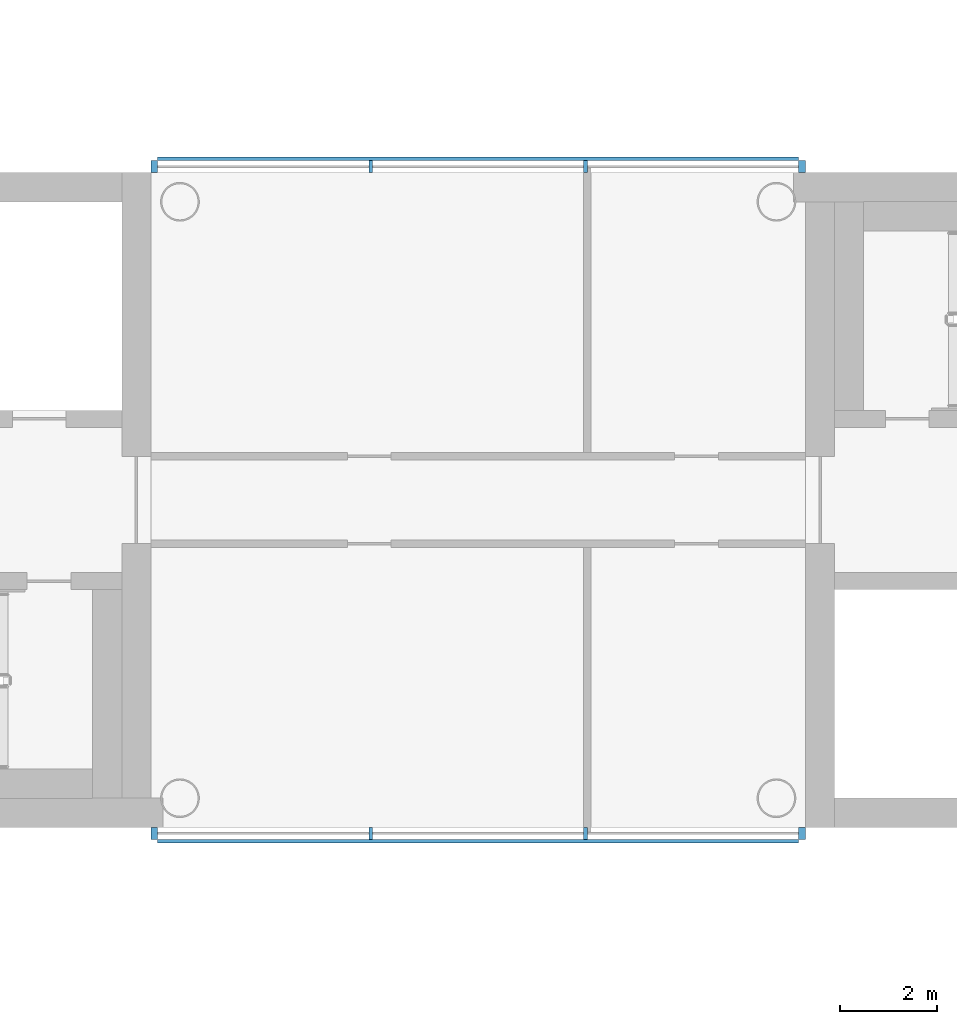
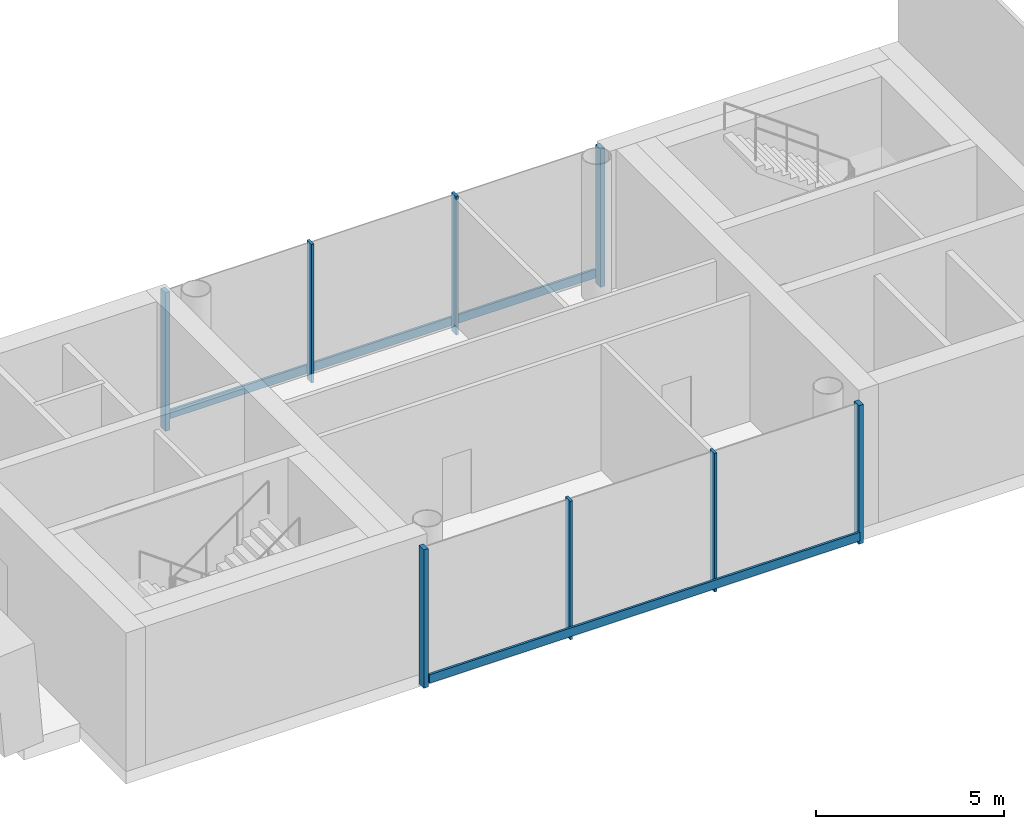
# One storey, part 2 of 11: 10 members, 2 elements without a shape of their own.
"""IFC4 building model written with IfcOpenShell, lengths in metres."""

from ifc_helpers import new_model, si_unit, direction, frame, origin, origin_2d, place, context, subcontext, project, spatial, rectangle, extrude, material, layer, layer_set, material_profile, profile_set, type_object, element, aggregate, save


model = new_model("IFC4")

# Units and contexts
model_context = context("Model", 3, precision=1e-05, world=origin(), true_north=direction((0.0, 1.0)))
body_context = subcontext(model_context, "Body", "Model", "MODEL_VIEW")
ifc_project = project(units=[si_unit("LENGTHUNIT", "METRE"), si_unit("AREAUNIT", "SQUARE_METRE"), si_unit("VOLUMEUNIT", "CUBIC_METRE"), si_unit("PLANEANGLEUNIT", "RADIAN"), si_unit("MASSUNIT", "GRAM", prefix="KILO")], contexts=[model_context])

# Site, building, storey
site_placement = place(None, origin())
site = spatial("IfcSite", under=ifc_project, at=site_placement, CompositionType="ELEMENT")
building_placement = place(site_placement, origin())
building = spatial("IfcBuilding", under=site, at=building_placement, Name="Ipe Terrace Towers", CompositionType="ELEMENT")
storey_placement = place(building_placement, frame((0.0, 0.0, 251.39990234375)))
storey = spatial("IfcBuildingStorey", under=building, at=storey_placement, Name="L69", CompositionType="ELEMENT", Elevation=251.39990234375)

# Curtain wall, members
ifc_material_1 = material(Name="Aluminium alloy 6063-T6", Category="aluminium")
ifc_layer = layer(ifc_material_1, 0.320068359375)
ifc_layer_set = layer_set([ifc_layer], Name="LANTERN CURTAIN WALL")
curtain_wall_type = type_object("IfcCurtainWallType", Name="LANTERN CURTAIN WALL", PredefinedType="NOTDEFINED", material=ifc_layer_set)
curtain_wall_1_placement = place(storey_placement, origin())
curtain_wall_1 = element("IfcCurtainWall", 1, at=curtain_wall_1_placement, inside=storey, type_object=curtain_wall_type, Name="T1-CW-L69-00b curtain wall", PredefinedType="NOTDEFINED")
ifc_material_2 = material(Name="Aluminium alloy 6063-T6", Category="aluminium")
ifc_material_profile_1 = material_profile(ifc_material_2, rectangle(XDim=0.25, YDim=0.139892578125, at=origin_2d()), Name="LANTERN CORNER MULLION 250 x 140")
ifc_profile_set_1 = profile_set([ifc_material_profile_1], Name="Aluminium alloy 6063-T6")
member_type_1 = type_object("IfcMemberType", Name="LANTERN CORNER MULLION 250 x 140", PredefinedType="MULLION", material=ifc_profile_set_1)
member_1_placement = place(storey_placement, frame((-42.678955078125, -6.875, -0.2998046875), z_axis=(0.0, 0.0, 1.0), x_axis=(0.0, -1.0, 0.0)))
member_1 = element("IfcMember", 2, at=member_1_placement, type_object=member_type_1, Name="T1-CW-L69-00b mullion 1", PredefinedType="MULLION", context=body_context, shape_type="SweptSolid", body=[
    extrude(rectangle(XDim=0.25, YDim=0.139892578125, at=origin_2d()), origin(), (0.0, 0.0, 1.0), 4.5),
])
member_2_placement = place(storey_placement, frame((-29.321044921875, -6.875, -0.2998046875), z_axis=(0.0, 0.0, 1.0), x_axis=(0.0, -1.0, 0.0)))
member_2 = element("IfcMember", 3, at=member_2_placement, type_object=member_type_1, Name="T1-CW-L69-00b mullion 4", PredefinedType="MULLION", context=body_context, shape_type="SweptSolid", body=[
    extrude(rectangle(XDim=0.25, YDim=0.139892578125, at=origin_2d()), origin(), (0.0, 0.0, 1.0), 4.5),
])

curtain_wall_2_placement = place(storey_placement, origin())
curtain_wall_2 = element("IfcCurtainWall", 4, at=curtain_wall_2_placement, inside=storey, type_object=curtain_wall_type, Name="T1-CW-L69-02b curtain wall", PredefinedType="NOTDEFINED")
member_3_placement = place(storey_placement, frame((-29.321044921875, 6.875, -0.2998046875), z_axis=(0.0, 0.0, 1.0), x_axis=(0.0, 1.0, 0.0)))
member_3 = element("IfcMember", 5, at=member_3_placement, type_object=member_type_1, Name="T1-CW-L69-02b mullion 1", PredefinedType="MULLION", context=body_context, shape_type="SweptSolid", body=[
    extrude(rectangle(XDim=0.25, YDim=0.139892578125, at=origin_2d()), origin(), (0.0, 0.0, 1.0), 4.5),
])
member_4_placement = place(storey_placement, frame((-42.678955078125, 6.875, -0.2998046875), z_axis=(0.0, 0.0, 1.0), x_axis=(0.0, 1.0, 0.0)))
member_4 = element("IfcMember", 6, at=member_4_placement, type_object=member_type_1, Name="T1-CW-L69-02b mullion 4", PredefinedType="MULLION", context=body_context, shape_type="SweptSolid", body=[
    extrude(rectangle(XDim=0.25, YDim=0.139892578125, at=origin_2d()), origin(), (0.0, 0.0, 1.0), 4.5),
])

# Member
ifc_material_3 = material(Name="Aluminium alloy 6063-T6", Category="aluminium")
ifc_material_profile_2 = material_profile(ifc_material_3, rectangle(XDim=0.25, YDim=0.080078125, at=origin_2d()), Name="LANTERN MULLION 250 x 80")
ifc_profile_set_2 = profile_set([ifc_material_profile_2], Name="Aluminium alloy 6063-T6")
member_type_2 = type_object("IfcMemberType", Name="LANTERN MULLION 250 x 80", PredefinedType="MULLION", material=ifc_profile_set_2)
member_5_placement = place(storey_placement, frame((-38.21630859375, -6.875, -0.2998046875), z_axis=(0.0, 0.0, 1.0), x_axis=(0.0, -1.0, 0.0)))
member_5 = element("IfcMember", 7, at=member_5_placement, type_object=member_type_2, Name="T1-CW-L69-00b mullion 2", PredefinedType="MULLION", context=body_context, shape_type="SweptSolid", body=[
    extrude(rectangle(XDim=0.25, YDim=0.080078125, at=origin_2d()), origin(), (0.0, 0.0, 1.0), 4.5),
])

member_6_placement = place(storey_placement, frame((-33.78369140625, -6.875, -0.2998046875), z_axis=(0.0, 0.0, 1.0), x_axis=(0.0, -1.0, 0.0)))
member_6 = element("IfcMember", 8, at=member_6_placement, type_object=member_type_2, Name="T1-CW-L69-00b mullion 3", PredefinedType="MULLION", context=body_context, shape_type="SweptSolid", body=[
    extrude(rectangle(XDim=0.25, YDim=0.080078125, at=origin_2d()), origin(), (0.0, 0.0, 1.0), 4.5),
])

member_7_placement = place(storey_placement, frame((-33.78369140625, 6.875, -0.2998046875), z_axis=(0.0, 0.0, 1.0), x_axis=(0.0, 1.0, 0.0)))
member_7 = element("IfcMember", 9, at=member_7_placement, type_object=member_type_2, Name="T1-CW-L69-02b mullion 2", PredefinedType="MULLION", context=body_context, shape_type="SweptSolid", body=[
    extrude(rectangle(XDim=0.25, YDim=0.080078125, at=origin_2d()), origin(), (0.0, 0.0, 1.0), 4.5),
])

member_8_placement = place(storey_placement, frame((-38.21630859375, 6.875, -0.2998046875), z_axis=(0.0, 0.0, 1.0), x_axis=(0.0, 1.0, 0.0)))
member_8 = element("IfcMember", 10, at=member_8_placement, type_object=member_type_2, Name="T1-CW-L69-02b mullion 3", PredefinedType="MULLION", context=body_context, shape_type="SweptSolid", body=[
    extrude(rectangle(XDim=0.25, YDim=0.080078125, at=origin_2d()), origin(), (0.0, 0.0, 1.0), 4.5),
])

ifc_material_4 = material(Name="Aluminium alloy 6063-T6", Category="aluminium")
ifc_material_profile_3 = material_profile(ifc_material_4, rectangle(XDim=0.070068359375, YDim=0.280029296875, at=origin_2d()), Name="LANTERN TRANSOM 70 x 280")
ifc_profile_set_3 = profile_set([ifc_material_profile_3], Name="Aluminium alloy 6063-T6")
member_type_3 = type_object("IfcMemberType", Name="LANTERN TRANSOM 70 x 280", PredefinedType="USERDEFINED", material=ifc_profile_set_3)
member_9_placement = place(storey_placement, frame((-42.60888671875, -7.034912109375, 0.0), z_axis=(1.0, 0.0, 0.0), x_axis=(0.0, -1.0, 0.0)))
member_9 = element("IfcMember", 11, at=member_9_placement, type_object=member_type_3, Name="T1-CW-L69-00b transom", ObjectType="TRANSOM", PredefinedType="USERDEFINED", context=body_context, shape_type="SweptSolid", body=[
    extrude(rectangle(XDim=0.070068359375, YDim=0.280029296875, at=origin_2d()), origin(), (0.0, 0.0, 1.0), 13.2177734375),
])

aggregate(curtain_wall_1, [member_1, member_5, member_6, member_2, member_9])

member_10_placement = place(storey_placement, frame((-29.39111328125, 7.034912109375, 0.0), z_axis=(-1.0, 0.0, 0.0), x_axis=(0.0, 1.0, 0.0)))
member_10 = element("IfcMember", 12, at=member_10_placement, type_object=member_type_3, Name="T1-CW-L69-02b transom", ObjectType="TRANSOM", PredefinedType="USERDEFINED", context=body_context, shape_type="SweptSolid", body=[
    extrude(rectangle(XDim=0.070068359375, YDim=0.280029296875, at=origin_2d()), origin(), (0.0, 0.0, 1.0), 13.2177734375),
])

aggregate(curtain_wall_2, [member_3, member_7, member_8, member_4, member_10])

save(model, "model.ifc")
